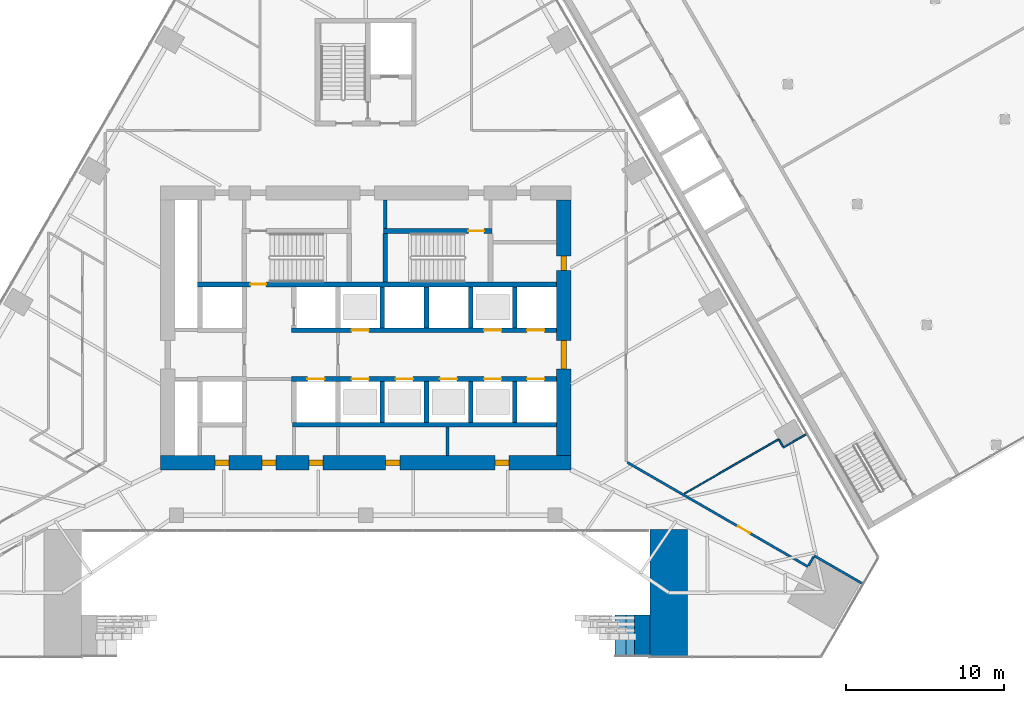
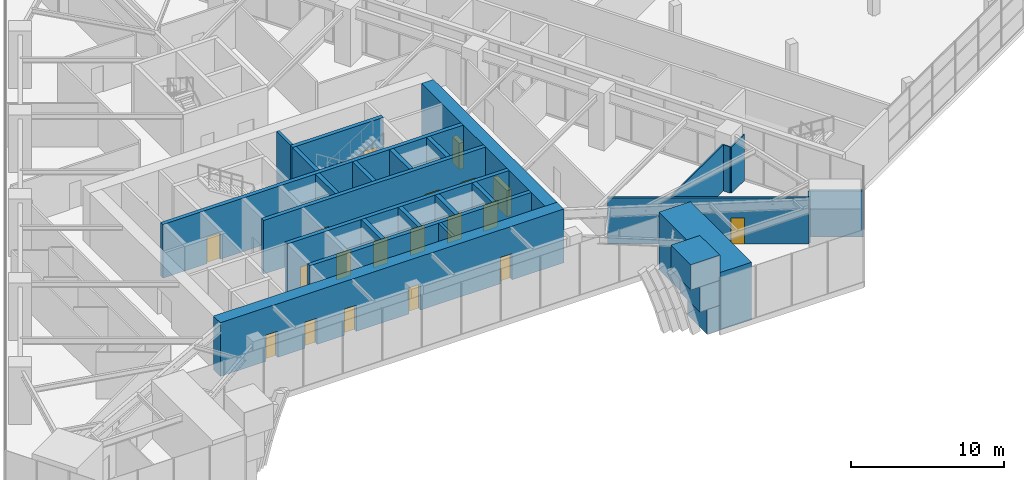
# One storey, part 18 of 29: 28 walls, 19 doors, 19 openings.
"""IFC4 building model written with IfcOpenShell, lengths in metres."""

from ifc_helpers import new_model, si_unit, direction, frame, frame_2d, origin, place, context, subcontext, project, spatial, rectangle, extrude, material, layer, layer_set, type_object, element, fill, save


model = new_model("IFC4")

# Units and contexts
model_context = context("Model", 3, precision=1e-05, world=origin(), true_north=direction((0.0, 1.0)))
body_context = subcontext(model_context, "Body", "Model", "MODEL_VIEW")
ifc_project = project(units=[si_unit("LENGTHUNIT", "METRE"), si_unit("AREAUNIT", "SQUARE_METRE"), si_unit("VOLUMEUNIT", "CUBIC_METRE"), si_unit("PLANEANGLEUNIT", "RADIAN"), si_unit("MASSUNIT", "GRAM", prefix="KILO")], contexts=[model_context])

# Site, building, storey
site_placement = place(None, origin())
site = spatial("IfcSite", under=ifc_project, at=site_placement, CompositionType="ELEMENT")
building_placement = place(site_placement, origin())
building = spatial("IfcBuilding", under=site, at=building_placement, Name="Firuza Gate Tower and Library", CompositionType="ELEMENT")
storey_placement = place(building_placement, frame((0.0, 0.0, 8.0)))
storey = spatial("IfcBuildingStorey", under=building, at=storey_placement, Name="L01", CompositionType="ELEMENT", Elevation=8.0)

# Walls
ifc_material_1 = material(Name="Plasterboard on steel studs", Category="steel")
ifc_layer_1 = layer(ifc_material_1, 0.199951171875)
ifc_layer_set_1 = layer_set([ifc_layer_1], Name="Core partition 200 EI 120")
wall_type_1 = type_object("IfcWallType", Name="Core partition 200 EI 120", PredefinedType="PARTITIONING", material=ifc_layer_set_1)
wall_1_placement = place(storey_placement, frame((80.175048828125, 66.89990234375, 0.0), z_axis=(0.0, 0.0, 1.0), x_axis=(0.0, 1.0, 0.0)))
element("IfcWall", 1, at=wall_1_placement, inside=storey, type_object=wall_type_1, Name="Core partition L01 15", PredefinedType="PARTITIONING", context=body_context, shape_type="SweptSolid", body=[
    extrude(rectangle(XDim=1.800048828125, YDim=0.199951171875, at=frame_2d((0.89990234375, 0.0))), origin(), (0.0, 0.0, 1.0), 4.300048828125),
])
ifc_material_2 = material(Name="Plasterboard on steel studs", Category="steel")
ifc_layer_2 = layer(ifc_material_2, 0.199951171875)
ifc_layer_set_2 = layer_set([ifc_layer_2], Name="Core partition 200 EI 60")
wall_type_2 = type_object("IfcWallType", Name="Core partition 200 EI 60", PredefinedType="PARTITIONING", material=ifc_layer_set_2)
wall_2_placement = place(storey_placement, frame((76.239990234375, 81.280029296875, 0.0), z_axis=(0.0, 0.0, 1.0), x_axis=(0.0, 1.0, 0.0)))
element("IfcWall", 2, at=wall_2_placement, inside=storey, type_object=wall_type_2, Name="Core partition L01 14", PredefinedType="PARTITIONING", context=body_context, shape_type="SweptSolid", body=[
    extrude(rectangle(XDim=1.820068359375, YDim=0.199951171875, at=frame_2d((0.91015625, 0.0))), origin(), (0.0, 0.0, 1.0), 4.300048828125),
])
ifc_material_3 = material(Name="Concrete C80/95", Category="concrete")
ifc_layer_3 = layer(ifc_material_3, 0.300048828125)
ifc_layer_set_3 = layer_set([ifc_layer_3], Name="Core wall 300 C80/95")
wall_type_3 = type_object("IfcWallType", Name="Core wall 300 C80/95", PredefinedType="SHEAR", material=ifc_layer_set_3)
wall_3_placement = place(storey_placement, frame((70.35009765625, 68.85009765625, 0.0), z_axis=(0.0, 0.0, 1.0), x_axis=(1.0, 0.0, 0.0)))
element("IfcWall", 3, at=wall_3_placement, inside=storey, type_object=wall_type_3, Name="Core wall L01 6", PredefinedType="SHEAR", context=body_context, shape_type="SweptSolid", body=[
    extrude(rectangle(XDim=16.75, YDim=0.300048828125, at=frame_2d((8.375, 0.0))), origin(), (0.0, 0.0, 1.0), 4.300048828125),
])

# Wall, openings, doors
wall_4_placement = place(storey_placement, frame((70.300048828125, 71.75, 0.0), z_axis=(0.0, 0.0, 1.0), x_axis=(1.0, 0.0, 0.0)))
wall_4 = element("IfcWall", 4, at=wall_4_placement, inside=storey, type_object=wall_type_3, Name="Core wall L01 8", PredefinedType="SHEAR", context=body_context, shape_type="SweptSolid", body=[
    extrude(rectangle(XDim=16.800048828125, YDim=0.300048828125, at=frame_2d((8.39990234375, 0.0))), origin(), (0.0, 0.0, 1.0), 4.300048828125),
])
opening_1_placement = place(wall_4_placement, frame((1.0, 0.0, 0.0)))
opening_1 = element("IfcOpeningElement", 5, at=opening_1_placement, cuts=wall_4, Name="Opening LD-FF1-L01", PredefinedType="OPENING", context=body_context, shape_type="SweptSolid", body=[
    extrude(rectangle(XDim=1.10009765625, YDim=2.10009765625, at=frame_2d((0.550048828125, 1.050048828125))), frame((0.0, 0.16015625, 0.0), z_axis=(0.0, -1.0, 0.0), x_axis=(1.0, 0.0, 0.0)), (0.0, 0.0, 1.0), 0.320068359375),
])
opening_2_placement = place(wall_4_placement, frame((3.800048828125, 0.0, 0.0)))
opening_2 = element("IfcOpeningElement", 6, at=opening_2_placement, cuts=wall_4, Name="Opening LD-LR1-L01", PredefinedType="OPENING", context=body_context, shape_type="SweptSolid", body=[
    extrude(rectangle(XDim=1.10009765625, YDim=2.10009765625, at=frame_2d((0.550048828125, 1.050048828125))), frame((0.0, 0.16015625, 0.0), z_axis=(0.0, -1.0, 0.0), x_axis=(1.0, 0.0, 0.0)), (0.0, 0.0, 1.0), 0.320068359375),
])
opening_3_placement = place(wall_4_placement, frame((6.60009765625, 0.0, 0.0)))
opening_3 = element("IfcOpeningElement", 7, at=opening_3_placement, cuts=wall_4, Name="Opening LD-LR2-L01", PredefinedType="OPENING", context=body_context, shape_type="SweptSolid", body=[
    extrude(rectangle(XDim=1.10009765625, YDim=2.10009765625, at=frame_2d((0.550048828125, 1.050048828125))), frame((0.0, 0.16015625, 0.0), z_axis=(0.0, -1.0, 0.0), x_axis=(1.0, 0.0, 0.0)), (0.0, 0.0, 1.0), 0.320068359375),
])
opening_4_placement = place(wall_4_placement, frame((9.39990234375, 0.0, 0.0)))
opening_4 = element("IfcOpeningElement", 8, at=opening_4_placement, cuts=wall_4, Name="Opening LD-LR3-L01", PredefinedType="OPENING", context=body_context, shape_type="SweptSolid", body=[
    extrude(rectangle(XDim=1.10009765625, YDim=2.10009765625, at=frame_2d((0.550048828125, 1.050048828125))), frame((0.0, 0.16015625, 0.0), z_axis=(0.0, -1.0, 0.0), x_axis=(1.0, 0.0, 0.0)), (0.0, 0.0, 1.0), 0.320068359375),
])
opening_5_placement = place(wall_4_placement, frame((12.199951171875, 0.0, 0.0)))
opening_5 = element("IfcOpeningElement", 9, at=opening_5_placement, cuts=wall_4, Name="Opening LD-LR5-L01", PredefinedType="OPENING", context=body_context, shape_type="SweptSolid", body=[
    extrude(rectangle(XDim=1.10009765625, YDim=2.10009765625, at=frame_2d((0.550048828125, 1.050048828125))), frame((0.0, 0.16015625, 0.0), z_axis=(0.0, -1.0, 0.0), x_axis=(1.0, 0.0, 0.0)), (0.0, 0.0, 1.0), 0.320068359375),
])
opening_6_placement = place(wall_4_placement, frame((14.925048828125, 0.0, 0.0)))
opening_6 = element("IfcOpeningElement", 10, at=opening_6_placement, cuts=wall_4, Name="Opening LD-LR7-L01", PredefinedType="OPENING", context=body_context, shape_type="SweptSolid", body=[
    extrude(rectangle(XDim=1.10009765625, YDim=2.10009765625, at=frame_2d((0.550048828125, 1.050048828125))), frame((0.0, 0.16015625, 0.0), z_axis=(0.0, -1.0, 0.0), x_axis=(1.0, 0.0, 0.0)), (0.0, 0.0, 1.0), 0.320068359375),
])
ifc_material_4 = material(Name="Stainless steel", Category="steel")
door_type_1 = type_object("IfcDoorType", Name="Lift landing door 1100x2100", OperationType="DOUBLE_DOOR_SLIDING", PredefinedType="DOOR", material=ifc_material_4)
door_1_placement = place(opening_1_placement, origin())
door_1 = element("IfcDoor", 11, at=door_1_placement, inside=storey, type_object=door_type_1, Name="Landing door FF1 L01", OperationType="DOUBLE_DOOR_SLIDING", OverallHeight=2.10009765625, OverallWidth=1.10009765625, PredefinedType="DOOR", context=body_context, shape_type="SweptSolid", body=[
    extrude(rectangle(XDim=1.10009765625, YDim=2.10009765625, at=frame_2d((0.550048828125, 1.050048828125))), frame((0.0, 0.02490234375, 0.0), z_axis=(0.0, -1.0, 0.0), x_axis=(1.0, 0.0, 0.0)), (0.0, 0.0, 1.0), 0.050048828125),
])
fill(opening_1, door_1)
door_2_placement = place(opening_2_placement, origin())
door_2 = element("IfcDoor", 12, at=door_2_placement, inside=storey, type_object=door_type_1, Name="Landing door LR1 L01", OperationType="DOUBLE_DOOR_SLIDING", OverallHeight=2.10009765625, OverallWidth=1.10009765625, PredefinedType="DOOR", context=body_context, shape_type="SweptSolid", body=[
    extrude(rectangle(XDim=1.10009765625, YDim=2.10009765625, at=frame_2d((0.550048828125, 1.050048828125))), frame((0.0, 0.02490234375, 0.0), z_axis=(0.0, -1.0, 0.0), x_axis=(1.0, 0.0, 0.0)), (0.0, 0.0, 1.0), 0.050048828125),
])
fill(opening_2, door_2)
door_3_placement = place(opening_3_placement, origin())
door_3 = element("IfcDoor", 13, at=door_3_placement, inside=storey, type_object=door_type_1, Name="Landing door LR2 L01", OperationType="DOUBLE_DOOR_SLIDING", OverallHeight=2.10009765625, OverallWidth=1.10009765625, PredefinedType="DOOR", context=body_context, shape_type="SweptSolid", body=[
    extrude(rectangle(XDim=1.10009765625, YDim=2.10009765625, at=frame_2d((0.550048828125, 1.050048828125))), frame((0.0, 0.02490234375, 0.0), z_axis=(0.0, -1.0, 0.0), x_axis=(1.0, 0.0, 0.0)), (0.0, 0.0, 1.0), 0.050048828125),
])
fill(opening_3, door_3)
door_4_placement = place(opening_4_placement, origin())
door_4 = element("IfcDoor", 14, at=door_4_placement, inside=storey, type_object=door_type_1, Name="Landing door LR3 L01", OperationType="DOUBLE_DOOR_SLIDING", OverallHeight=2.10009765625, OverallWidth=1.10009765625, PredefinedType="DOOR", context=body_context, shape_type="SweptSolid", body=[
    extrude(rectangle(XDim=1.10009765625, YDim=2.10009765625, at=frame_2d((0.550048828125, 1.050048828125))), frame((0.0, 0.02490234375, 0.0), z_axis=(0.0, -1.0, 0.0), x_axis=(1.0, 0.0, 0.0)), (0.0, 0.0, 1.0), 0.050048828125),
])
fill(opening_4, door_4)
door_5_placement = place(opening_5_placement, origin())
door_5 = element("IfcDoor", 15, at=door_5_placement, inside=storey, type_object=door_type_1, Name="Landing door LR5 L01", OperationType="DOUBLE_DOOR_SLIDING", OverallHeight=2.10009765625, OverallWidth=1.10009765625, PredefinedType="DOOR", context=body_context, shape_type="SweptSolid", body=[
    extrude(rectangle(XDim=1.10009765625, YDim=2.10009765625, at=frame_2d((0.550048828125, 1.050048828125))), frame((0.0, 0.02490234375, 0.0), z_axis=(0.0, -1.0, 0.0), x_axis=(1.0, 0.0, 0.0)), (0.0, 0.0, 1.0), 0.050048828125),
])
fill(opening_5, door_5)
door_6_placement = place(opening_6_placement, origin())
door_6 = element("IfcDoor", 16, at=door_6_placement, inside=storey, type_object=door_type_1, Name="Landing door LR7 L01", OperationType="DOUBLE_DOOR_SLIDING", OverallHeight=2.10009765625, OverallWidth=1.10009765625, PredefinedType="DOOR", context=body_context, shape_type="SweptSolid", body=[
    extrude(rectangle(XDim=1.10009765625, YDim=2.10009765625, at=frame_2d((0.550048828125, 1.050048828125))), frame((0.0, 0.02490234375, 0.0), z_axis=(0.0, -1.0, 0.0), x_axis=(1.0, 0.0, 0.0)), (0.0, 0.0, 1.0), 0.050048828125),
])
fill(opening_6, door_6)

wall_5_placement = place(storey_placement, frame((70.300048828125, 74.85009765625, 0.0), z_axis=(0.0, 0.0, 1.0), x_axis=(1.0, 0.0, 0.0)))
wall_5 = element("IfcWall", 17, at=wall_5_placement, inside=storey, type_object=wall_type_3, Name="Core wall L01 10", PredefinedType="SHEAR", context=body_context, shape_type="SweptSolid", body=[
    extrude(rectangle(XDim=16.800048828125, YDim=0.300048828125, at=frame_2d((8.39990234375, 0.0))), origin(), (0.0, 0.0, 1.0), 4.300048828125),
])
opening_7_placement = place(wall_5_placement, frame((3.800048828125, 0.0, 0.0)))
opening_7 = element("IfcOpeningElement", 18, at=opening_7_placement, cuts=wall_5, Name="Opening LD-LR4-L01", PredefinedType="OPENING", context=body_context, shape_type="SweptSolid", body=[
    extrude(rectangle(XDim=1.10009765625, YDim=2.10009765625, at=frame_2d((0.550048828125, 1.050048828125))), frame((0.0, 0.16015625, 0.0), z_axis=(0.0, -1.0, 0.0), x_axis=(1.0, 0.0, 0.0)), (0.0, 0.0, 1.0), 0.320068359375),
])
opening_8_placement = place(wall_5_placement, frame((12.199951171875, 0.0, 0.0)))
opening_8 = element("IfcOpeningElement", 19, at=opening_8_placement, cuts=wall_5, Name="Opening LD-LR6-L01", PredefinedType="OPENING", context=body_context, shape_type="SweptSolid", body=[
    extrude(rectangle(XDim=1.10009765625, YDim=2.10009765625, at=frame_2d((0.550048828125, 1.050048828125))), frame((0.0, 0.16015625, 0.0), z_axis=(0.0, -1.0, 0.0), x_axis=(1.0, 0.0, 0.0)), (0.0, 0.0, 1.0), 0.320068359375),
])
opening_9_placement = place(wall_5_placement, frame((14.925048828125, 0.0, 0.0)))
opening_9 = element("IfcOpeningElement", 20, at=opening_9_placement, cuts=wall_5, Name="Opening LD-LR8-L01", PredefinedType="OPENING", context=body_context, shape_type="SweptSolid", body=[
    extrude(rectangle(XDim=1.10009765625, YDim=2.10009765625, at=frame_2d((0.550048828125, 1.050048828125))), frame((0.0, 0.16015625, 0.0), z_axis=(0.0, -1.0, 0.0), x_axis=(1.0, 0.0, 0.0)), (0.0, 0.0, 1.0), 0.320068359375),
])
door_7_placement = place(opening_7_placement, origin())
door_7 = element("IfcDoor", 21, at=door_7_placement, inside=storey, type_object=door_type_1, Name="Landing door LR4 L01", OperationType="DOUBLE_DOOR_SLIDING", OverallHeight=2.10009765625, OverallWidth=1.10009765625, PredefinedType="DOOR", context=body_context, shape_type="SweptSolid", body=[
    extrude(rectangle(XDim=1.10009765625, YDim=2.10009765625, at=frame_2d((0.550048828125, 1.050048828125))), frame((0.0, 0.02490234375, 0.0), z_axis=(0.0, -1.0, 0.0), x_axis=(1.0, 0.0, 0.0)), (0.0, 0.0, 1.0), 0.050048828125),
])
fill(opening_7, door_7)
door_8_placement = place(opening_8_placement, origin())
door_8 = element("IfcDoor", 22, at=door_8_placement, inside=storey, type_object=door_type_1, Name="Landing door LR6 L01", OperationType="DOUBLE_DOOR_SLIDING", OverallHeight=2.10009765625, OverallWidth=1.10009765625, PredefinedType="DOOR", context=body_context, shape_type="SweptSolid", body=[
    extrude(rectangle(XDim=1.10009765625, YDim=2.10009765625, at=frame_2d((0.550048828125, 1.050048828125))), frame((0.0, 0.02490234375, 0.0), z_axis=(0.0, -1.0, 0.0), x_axis=(1.0, 0.0, 0.0)), (0.0, 0.0, 1.0), 0.050048828125),
])
fill(opening_8, door_8)
door_9_placement = place(opening_9_placement, origin())
door_9 = element("IfcDoor", 23, at=door_9_placement, inside=storey, type_object=door_type_1, Name="Landing door LR8 L01", OperationType="DOUBLE_DOOR_SLIDING", OverallHeight=2.10009765625, OverallWidth=1.10009765625, PredefinedType="DOOR", context=body_context, shape_type="SweptSolid", body=[
    extrude(rectangle(XDim=1.10009765625, YDim=2.10009765625, at=frame_2d((0.550048828125, 1.050048828125))), frame((0.0, 0.02490234375, 0.0), z_axis=(0.0, -1.0, 0.0), x_axis=(1.0, 0.0, 0.0)), (0.0, 0.0, 1.0), 0.050048828125),
])
fill(opening_9, door_9)

# Walls
for number, where, z_axis, x_axis, name in (
    (24, (76.050048828125, 69.0, 0.0), (0.0, 0.0, 1.0), (0.0, 1.0, 0.0), "Core wall L01 19"),
    (25, (76.050048828125, 75.0, 0.0), (0.0, 0.0, 1.0), (0.0, 1.0, 0.0), "Core wall L01 20"),
    (26, (78.85009765625, 69.0, 0.0), (0.0, 0.0, 1.0), (0.0, 1.0, 0.0), "Core wall L01 21"),
    (27, (78.85009765625, 75.0, 0.0), (0.0, 0.0, 1.0), (0.0, 1.0, 0.0), "Core wall L01 22"),
    (28, (81.64990234375, 69.0, 0.0), (0.0, 0.0, 1.0), (0.0, 1.0, 0.0), "Core wall L01 23"),
    (29, (81.64990234375, 75.0, 0.0), (0.0, 0.0, 1.0), (0.0, 1.0, 0.0), "Core wall L01 24"),
    (30, (84.449951171875, 69.0, 0.0), (0.0, 0.0, 1.0), (0.0, 1.0, 0.0), "Core wall L01 25"),
    (31, (84.449951171875, 75.0, 0.0), (0.0, 0.0, 1.0), (0.0, 1.0, 0.0), "Core wall L01 26"),
):
    element("IfcWall", number, at=place(storey_placement, frame(where, z_axis=z_axis, x_axis=x_axis)), inside=storey, type_object=wall_type_3, Name=name, PredefinedType="SHEAR", context=body_context, shape_type="SweptSolid", body=[
        extrude(rectangle(XDim=2.60009765625, YDim=0.300048828125, at=frame_2d((1.300048828125, 0.0))), origin(), (0.0, 0.0, 1.0), 4.300048828125),
    ])

# Wall, opening, door
wall_6_placement = place(storey_placement, frame((64.35009765625, 77.75, 0.0), z_axis=(0.0, 0.0, 1.0), x_axis=(1.0, 0.0, 0.0)))
wall_6 = element("IfcWall", 32, at=wall_6_placement, inside=storey, type_object=wall_type_3, Name="Core wall L01 27", PredefinedType="SHEAR", context=body_context, shape_type="SweptSolid", body=[
    extrude(rectangle(XDim=22.75, YDim=0.300048828125, at=frame_2d((11.375, 0.0))), origin(), (0.0, 0.0, 1.0), 4.300048828125),
])
opening_10_placement = place(wall_6_placement, frame((3.344970703125, 0.0, 0.0)))
opening_10 = element("IfcOpeningElement", 33, at=opening_10_placement, cuts=wall_6, Name="Opening L01-K12", PredefinedType="OPENING", context=body_context, shape_type="SweptSolid", body=[
    extrude(rectangle(XDim=1.0, YDim=2.10009765625, at=frame_2d((0.5, 1.050048828125))), frame((0.0, 0.16015625, 0.0), z_axis=(0.0, -1.0, 0.0), x_axis=(1.0, 0.0, 0.0)), (0.0, 0.0, 1.0), 0.320068359375),
])
ifc_material_5 = material(Name="Steel", Category="steel")
door_type_2 = type_object("IfcDoorType", Name="Fire door 1000x2100 FD90", OperationType="NOTDEFINED", PredefinedType="DOOR", material=ifc_material_5)
door_10_placement = place(opening_10_placement, origin())
door_10 = element("IfcDoor", 34, at=door_10_placement, inside=storey, type_object=door_type_2, Name="Door L01-K12", OperationType="SINGLE_SWING_LEFT", OverallHeight=2.10009765625, OverallWidth=1.0, PredefinedType="DOOR", context=body_context, shape_type="SweptSolid", body=[
    extrude(rectangle(XDim=1.0, YDim=2.10009765625, at=frame_2d((0.5, 1.050048828125))), frame((0.0, 0.02490234375, 0.0), z_axis=(0.0, -1.0, 0.0), x_axis=(1.0, 0.0, 0.0)), (0.0, 0.0, 1.0), 0.050048828125),
])
fill(opening_10, door_10)

wall_7_placement = place(storey_placement, frame((76.139892578125, 81.1298828125, 0.0), z_axis=(0.0, 0.0, 1.0), x_axis=(1.0, 0.0, 0.0)))
wall_7 = element("IfcWall", 35, at=wall_7_placement, inside=storey, type_object=wall_type_3, Name="Core wall L01 29", PredefinedType="SHEAR", context=body_context, shape_type="SweptSolid", body=[
    extrude(rectangle(XDim=6.860107421875, YDim=0.300048828125, at=frame_2d((3.43017578125, 0.0))), origin(), (0.0, 0.0, 1.0), 4.300048828125),
])
opening_11_placement = place(wall_7_placement, frame((5.364990234375, 0.0, 0.0)))
opening_11 = element("IfcOpeningElement", 36, at=opening_11_placement, cuts=wall_7, Name="Opening L01-K15", PredefinedType="OPENING", context=body_context, shape_type="SweptSolid", body=[
    extrude(rectangle(XDim=1.0, YDim=2.10009765625, at=frame_2d((0.5, 1.050048828125))), frame((0.0, 0.16015625, 0.0), z_axis=(0.0, -1.0, 0.0), x_axis=(1.0, 0.0, 0.0)), (0.0, 0.0, 1.0), 0.320068359375),
])
door_11_placement = place(opening_11_placement, origin())
door_11 = element("IfcDoor", 37, at=door_11_placement, inside=storey, type_object=door_type_2, Name="Door L01-K15", OperationType="SINGLE_SWING_RIGHT", OverallHeight=2.10009765625, OverallWidth=1.0, PredefinedType="DOOR", context=body_context, shape_type="SweptSolid", body=[
    extrude(rectangle(XDim=1.0, YDim=2.10009765625, at=frame_2d((0.5, 1.050048828125))), frame((0.0, 0.02490234375, 0.0), z_axis=(0.0, -1.0, 0.0), x_axis=(1.0, 0.0, 0.0)), (0.0, 0.0, 1.0), 0.050048828125),
])
fill(opening_11, door_11)

# Wall
wall_8_placement = place(storey_placement, frame((76.239990234375, 77.89990234375, 0.0), z_axis=(0.0, 0.0, 1.0), x_axis=(0.0, 1.0, 0.0)))
element("IfcWall", 38, at=wall_8_placement, inside=storey, type_object=wall_type_3, Name="Core wall L01 32", PredefinedType="SHEAR", context=body_context, shape_type="SweptSolid", body=[
    extrude(rectangle(XDim=3.080078125, YDim=0.300048828125, at=frame_2d((1.5400390625, 0.0))), origin(), (0.0, 0.0, 1.0), 4.300048828125),
])

# Wall, openings, doors
ifc_material_6 = material(Name="Concrete C80/95", Category="concrete")
ifc_layer_4 = layer(ifc_material_6, 0.89990234375)
ifc_layer_set_4 = layer_set([ifc_layer_4], Name="Core wall 900 C80/95")
wall_type_4 = type_object("IfcWallType", Name="Core wall 900 C80/95", PredefinedType="SHEAR", material=ifc_layer_set_4)
wall_9_placement = place(storey_placement, frame((62.0, 66.449951171875, 0.0), z_axis=(0.0, 0.0, 1.0), x_axis=(1.0, 0.0, 0.0)))
wall_9 = element("IfcWall", 39, at=wall_9_placement, inside=storey, type_object=wall_type_4, Name="Core wall L01 1", PredefinedType="SHEAR", context=body_context, shape_type="SweptSolid", body=[
    extrude(rectangle(XDim=26.0, YDim=0.89990234375, at=frame_2d((13.0, 0.0))), origin(), (0.0, 0.0, 1.0), 4.300048828125),
])
opening_12_placement = place(wall_9_placement, frame((3.449951171875, 0.0, 0.0)))
opening_12 = element("IfcOpeningElement", 40, at=opening_12_placement, cuts=wall_9, Name="Opening L01-K24", PredefinedType="OPENING", context=body_context, shape_type="SweptSolid", body=[
    extrude(rectangle(XDim=0.89990234375, YDim=2.10009765625, at=frame_2d((0.449951171875, 1.050048828125))), frame((0.0, 0.4599609375, 0.0), z_axis=(0.0, -1.0, 0.0), x_axis=(1.0, 0.0, 0.0)), (0.0, 0.0, 1.0), 0.919921875),
])
opening_13_placement = place(wall_9_placement, frame((6.425048828125, 0.0, 0.0)))
opening_13 = element("IfcOpeningElement", 41, at=opening_13_placement, cuts=wall_9, Name="Opening L01-K25", PredefinedType="OPENING", context=body_context, shape_type="SweptSolid", body=[
    extrude(rectangle(XDim=0.89990234375, YDim=2.10009765625, at=frame_2d((0.449951171875, 1.050048828125))), frame((0.0, 0.4599609375, 0.0), z_axis=(0.0, -1.0, 0.0), x_axis=(1.0, 0.0, 0.0)), (0.0, 0.0, 1.0), 0.919921875),
])
opening_14_placement = place(wall_9_placement, frame((9.39990234375, 0.0, 0.0)))
opening_14 = element("IfcOpeningElement", 42, at=opening_14_placement, cuts=wall_9, Name="Opening L01-K26", PredefinedType="OPENING", context=body_context, shape_type="SweptSolid", body=[
    extrude(rectangle(XDim=0.89990234375, YDim=2.10009765625, at=frame_2d((0.449951171875, 1.050048828125))), frame((0.0, 0.4599609375, 0.0), z_axis=(0.0, -1.0, 0.0), x_axis=(1.0, 0.0, 0.0)), (0.0, 0.0, 1.0), 0.919921875),
])
opening_15_placement = place(wall_9_placement, frame((14.262451171875, 0.0, 0.0)))
opening_15 = element("IfcOpeningElement", 43, at=opening_15_placement, cuts=wall_9, Name="Opening L01-K27", PredefinedType="OPENING", context=body_context, shape_type="SweptSolid", body=[
    extrude(rectangle(XDim=0.89990234375, YDim=2.10009765625, at=frame_2d((0.449951171875, 1.050048828125))), frame((0.0, 0.4599609375, 0.0), z_axis=(0.0, -1.0, 0.0), x_axis=(1.0, 0.0, 0.0)), (0.0, 0.0, 1.0), 0.919921875),
])
opening_16_placement = place(wall_9_placement, frame((21.1875, 0.0, 0.0)))
opening_16 = element("IfcOpeningElement", 44, at=opening_16_placement, cuts=wall_9, Name="Opening L01-K28", PredefinedType="OPENING", context=body_context, shape_type="SweptSolid", body=[
    extrude(rectangle(XDim=0.89990234375, YDim=2.10009765625, at=frame_2d((0.449951171875, 1.050048828125))), frame((0.0, 0.4599609375, 0.0), z_axis=(0.0, -1.0, 0.0), x_axis=(1.0, 0.0, 0.0)), (0.0, 0.0, 1.0), 0.919921875),
])
ifc_material_7 = material(Name="Steel", Category="steel")
door_type_3 = type_object("IfcDoorType", Name="Fire door 900x2100 FD30S", OperationType="NOTDEFINED", PredefinedType="DOOR", material=ifc_material_7)
door_12_placement = place(opening_12_placement, origin())
door_12 = element("IfcDoor", 45, at=door_12_placement, inside=storey, type_object=door_type_3, Name="Door L01-K24", OperationType="SINGLE_SWING_LEFT", OverallHeight=2.10009765625, OverallWidth=0.89990234375, PredefinedType="DOOR", context=body_context, shape_type="SweptSolid", body=[
    extrude(rectangle(XDim=0.89990234375, YDim=2.10009765625, at=frame_2d((0.449951171875, 1.050048828125))), frame((0.0, 0.169921875, 0.0), z_axis=(0.0, -1.0, 0.0), x_axis=(1.0, 0.0, 0.0)), (0.0, 0.0, 1.0), 0.33984375),
])
fill(opening_12, door_12)
door_13_placement = place(opening_13_placement, origin())
door_13 = element("IfcDoor", 46, at=door_13_placement, inside=storey, type_object=door_type_3, Name="Door L01-K25", OperationType="SINGLE_SWING_RIGHT", OverallHeight=2.10009765625, OverallWidth=0.89990234375, PredefinedType="DOOR", context=body_context, shape_type="SweptSolid", body=[
    extrude(rectangle(XDim=0.89990234375, YDim=2.10009765625, at=frame_2d((0.449951171875, 1.050048828125))), frame((0.0, 0.169921875, 0.0), z_axis=(0.0, -1.0, 0.0), x_axis=(1.0, 0.0, 0.0)), (0.0, 0.0, 1.0), 0.33984375),
])
fill(opening_13, door_13)
door_14_placement = place(opening_14_placement, origin())
door_14 = element("IfcDoor", 47, at=door_14_placement, inside=storey, type_object=door_type_3, Name="Door L01-K26", OperationType="SINGLE_SWING_LEFT", OverallHeight=2.10009765625, OverallWidth=0.89990234375, PredefinedType="DOOR", context=body_context, shape_type="SweptSolid", body=[
    extrude(rectangle(XDim=0.89990234375, YDim=2.10009765625, at=frame_2d((0.449951171875, 1.050048828125))), frame((0.0, 0.169921875, 0.0), z_axis=(0.0, -1.0, 0.0), x_axis=(1.0, 0.0, 0.0)), (0.0, 0.0, 1.0), 0.33984375),
])
fill(opening_14, door_14)
door_15_placement = place(opening_15_placement, origin())
door_15 = element("IfcDoor", 48, at=door_15_placement, inside=storey, type_object=door_type_3, Name="Door L01-K27", OperationType="SINGLE_SWING_RIGHT", OverallHeight=2.10009765625, OverallWidth=0.89990234375, PredefinedType="DOOR", context=body_context, shape_type="SweptSolid", body=[
    extrude(rectangle(XDim=0.89990234375, YDim=2.10009765625, at=frame_2d((0.449951171875, 1.050048828125))), frame((0.0, 0.169921875, 0.0), z_axis=(0.0, -1.0, 0.0), x_axis=(1.0, 0.0, 0.0)), (0.0, 0.0, 1.0), 0.33984375),
])
fill(opening_15, door_15)
door_16_placement = place(opening_16_placement, origin())
door_16 = element("IfcDoor", 49, at=door_16_placement, inside=storey, type_object=door_type_3, Name="Door L01-K28", OperationType="SINGLE_SWING_LEFT", OverallHeight=2.10009765625, OverallWidth=0.89990234375, PredefinedType="DOOR", context=body_context, shape_type="SweptSolid", body=[
    extrude(rectangle(XDim=0.89990234375, YDim=2.10009765625, at=frame_2d((0.449951171875, 1.050048828125))), frame((0.0, 0.169921875, 0.0), z_axis=(0.0, -1.0, 0.0), x_axis=(1.0, 0.0, 0.0)), (0.0, 0.0, 1.0), 0.33984375),
])
fill(opening_16, door_16)

wall_10_placement = place(storey_placement, frame((87.550048828125, 66.89990234375, 0.0), z_axis=(0.0, 0.0, 1.0), x_axis=(0.0, 1.0, 0.0)))
wall_10 = element("IfcWall", 50, at=wall_10_placement, inside=storey, type_object=wall_type_4, Name="Core wall L01 4", PredefinedType="SHEAR", context=body_context, shape_type="SweptSolid", body=[
    extrude(rectangle(XDim=16.2001953125, YDim=0.89990234375, at=frame_2d((8.10009765625, 0.0))), origin(), (0.0, 0.0, 1.0), 4.300048828125),
])
opening_17_placement = place(wall_10_placement, frame((5.5, 0.0, 0.0)))
opening_17 = element("IfcOpeningElement", 51, at=opening_17_placement, cuts=wall_10, Name="Opening L01-K23", PredefinedType="OPENING", context=body_context, shape_type="SweptSolid", body=[
    extrude(rectangle(XDim=1.800048828125, YDim=2.10009765625, at=frame_2d((0.89990234375, 1.050048828125))), frame((0.0, 0.4599609375, 0.0), z_axis=(0.0, -1.0, 0.0), x_axis=(1.0, 0.0, 0.0)), (0.0, 0.0, 1.0), 0.919921875),
])
opening_18_placement = place(wall_10_placement, frame((11.737548828125, 0.0, 0.0)))
opening_18 = element("IfcOpeningElement", 52, at=opening_18_placement, cuts=wall_10, Name="Opening L01-K31", PredefinedType="OPENING", context=body_context, shape_type="SweptSolid", body=[
    extrude(rectangle(XDim=0.89990234375, YDim=2.10009765625, at=frame_2d((0.449951171875, 1.050048828125))), frame((0.0, 0.4599609375, 0.0), z_axis=(0.0, -1.0, 0.0), x_axis=(1.0, 0.0, 0.0)), (0.0, 0.0, 1.0), 0.919921875),
])
ifc_material_8 = material(Name="Steel", Category="steel")
door_type_4 = type_object("IfcDoorType", Name="Fire door 1800x2100 FD30S", OperationType="NOTDEFINED", PredefinedType="DOOR", material=ifc_material_8)
door_17_placement = place(opening_17_placement, origin())
door_17 = element("IfcDoor", 53, at=door_17_placement, inside=storey, type_object=door_type_4, Name="Door L01-K23", OperationType="SINGLE_SWING_RIGHT", OverallHeight=2.10009765625, OverallWidth=1.800048828125, PredefinedType="DOOR", context=body_context, shape_type="SweptSolid", body=[
    extrude(rectangle(XDim=1.800048828125, YDim=2.10009765625, at=frame_2d((0.89990234375, 1.050048828125))), frame((0.0, 0.169921875, 0.0), z_axis=(0.0, -1.0, 0.0), x_axis=(1.0, 0.0, 0.0)), (0.0, 0.0, 1.0), 0.33984375),
])
fill(opening_17, door_17)
door_18_placement = place(opening_18_placement, origin())
door_18 = element("IfcDoor", 54, at=door_18_placement, inside=storey, type_object=door_type_3, Name="Door L01-K31", OperationType="SINGLE_SWING_RIGHT", OverallHeight=2.10009765625, OverallWidth=0.89990234375, PredefinedType="DOOR", context=body_context, shape_type="SweptSolid", body=[
    extrude(rectangle(XDim=0.89990234375, YDim=2.10009765625, at=frame_2d((0.449951171875, 1.050048828125))), frame((0.0, 0.169921875, 0.0), z_axis=(0.0, -1.0, 0.0), x_axis=(1.0, 0.0, 0.0)), (0.0, 0.0, 1.0), 0.33984375),
])
fill(opening_18, door_18)

# Walls
ifc_material_9 = material(Name="Gypsum board partition")
ifc_layer_5 = layer(ifc_material_9, 0.14990234375)
ifc_layer_set_5 = layer_set([ifc_layer_5], Name="Corridor wall 150 double board on steel studs")
wall_type_5 = type_object("IfcWallType", Name="Corridor wall 150 double board on steel studs", PredefinedType="PARTITIONING", material=ifc_layer_set_5)
wall_11_placement = place(storey_placement, frame((103.0615234375, 59.93603515625, 0.0), z_axis=(0.0, 0.0, 1.0), x_axis=(0.500118698802, 0.865956862152, 0.0)))
element("IfcWall", 55, at=wall_11_placement, inside=storey, type_object=wall_type_5, Name="f:L01:w015", PredefinedType="PARTITIONING", context=body_context, shape_type="SweptSolid", body=[
    extrude(rectangle(XDim=0.639892578125, YDim=0.14990234375, at=frame_2d((0.31982421875, 0.0))), origin(), (0.0, 0.0, 1.0), 3.699951171875),
])
wall_12_placement = place(storey_placement, frame((106.501953125, 58.775390625, 0.0), z_axis=(0.0, 0.0, 1.0), x_axis=(-0.866018846882, 0.500011356716, 0.0)))
element("IfcWall", 56, at=wall_12_placement, inside=storey, type_object=wall_type_5, Name="f:L01:w034", PredefinedType="PARTITIONING", context=body_context, shape_type="SweptSolid", body=[
    extrude(rectangle(XDim=3.56005859375, YDim=0.14990234375, at=frame_2d((1.780029296875, 0.0))), origin(), (0.0, 0.0, 1.0), 3.699951171875),
])

# Wall, opening, door
wall_13_placement = place(storey_placement, frame((91.574951171875, 66.4697265625, 0.0), z_axis=(0.0, 0.0, 1.0), x_axis=(0.866027754727, -0.499995928025, 0.0)))
wall_13 = element("IfcWall", 57, at=wall_13_placement, inside=storey, type_object=wall_type_5, Name="f:L01:w035", PredefinedType="PARTITIONING", context=body_context, shape_type="SweptSolid", body=[
    extrude(rectangle(XDim=13.21435546875, YDim=0.14990234375, at=frame_2d((6.607177734375, 0.0))), origin(), (0.0, 0.0, 1.0), 3.699951171875),
])
opening_19_placement = place(wall_13_placement, frame((8.0908203125, 0.0, 0.0)))
opening_19 = element("IfcOpeningElement", 58, at=opening_19_placement, cuts=wall_13, Name="Opening L01-15", PredefinedType="OPENING", context=body_context, shape_type="SweptSolid", body=[
    extrude(rectangle(XDim=0.89990234375, YDim=2.10009765625, at=frame_2d((0.449951171875, 1.050048828125))), frame((0.0, 0.0849609375, 0.0), z_axis=(0.0, -1.0, 0.0), x_axis=(1.0, 0.0, 0.0)), (0.0, 0.0, 1.0), 0.169921875),
])
ifc_material_10 = material(Name="Steel door and timber leaf", Category="steel")
door_type_5 = type_object("IfcDoorType", Name="Fire door 900 x 2100 steel frame, timber leaf", OperationType="NOTDEFINED", PredefinedType="DOOR", material=ifc_material_10)
door_19_placement = place(opening_19_placement, origin())
door_19 = element("IfcDoor", 59, at=door_19_placement, inside=storey, type_object=door_type_5, Name="f:L01:d015", OperationType="SINGLE_SWING_RIGHT", OverallHeight=2.10009765625, OverallWidth=0.89990234375, PredefinedType="DOOR", context=body_context, shape_type="SweptSolid", body=[
    extrude(rectangle(XDim=0.89990234375, YDim=2.10009765625, at=frame_2d((0.449951171875, 1.050048828125))), frame((0.0, 0.02490234375, 0.0), z_axis=(0.0, -1.0, 0.0), x_axis=(1.0, 0.0, 0.0)), (0.0, 0.0, 1.0), 0.050048828125),
])
fill(opening_19, door_19)

# Walls
ifc_material_11 = material(Name="Concrete C80/95", Category="concrete")
ifc_layer_6 = layer(ifc_material_11, 2.39990234375)
ifc_layer_set_6 = layer_set([ifc_layer_6], Name="Iwan wall 2400 C80/95")
wall_type_6 = type_object("IfcWallType", Name="Iwan wall 2400 C80/95", PredefinedType="SHEAR", material=ifc_layer_set_6)
wall_14_placement = place(storey_placement, frame((94.199951171875, 54.21533203125, 0.0), z_axis=(0.0, 0.0, 1.0), x_axis=(0.0, 1.0, 0.0)))
element("IfcWall", 60, at=wall_14_placement, inside=storey, type_object=wall_type_6, Name="Iwan wall E L01", PredefinedType="SHEAR", context=body_context, shape_type="SweptSolid", body=[
    extrude(rectangle(XDim=8.0, YDim=2.39990234375, at=frame_2d((4.0, 0.0))), origin(), (0.0, 0.0, 1.0), 4.60009765625),
])
ifc_material_12 = material(Name="Gypsum board partition")
ifc_layer_7 = layer(ifc_material_12, 0.10009765625)
ifc_layer_set_7 = layer_set([ifc_layer_7], Name="Partition 100 gypsum board on steel studs")
wall_type_7 = type_object("IfcWallType", Name="Partition 100 gypsum board on steel studs", PredefinedType="PARTITIONING", material=ifc_layer_set_7)
wall_15_placement = place(storey_placement, frame((101.471435546875, 67.42041015625, 0.0), z_axis=(0.0, 0.0, 1.0), x_axis=(0.866028621479, 0.499994426748, 0.0)))
element("IfcWall", 61, at=wall_15_placement, inside=storey, type_object=wall_type_7, Name="f:L01:w005", PredefinedType="PARTITIONING", context=body_context, shape_type="SweptSolid", body=[
    extrude(rectangle(XDim=1.70947265625, YDim=0.10009765625, at=frame_2d((0.854736328125, 0.0))), origin(), (0.0, 0.0, 1.0), 3.699951171875),
])
wall_16_placement = place(storey_placement, frame((95.200927734375, 64.492919921875, 0.0), z_axis=(0.0, 0.0, 1.0), x_axis=(0.866031059472, 0.499990203933, 0.0)))
element("IfcWall", 62, at=wall_16_placement, inside=storey, type_object=wall_type_7, Name="f:L01:w006", PredefinedType="PARTITIONING", context=body_context, shape_type="SweptSolid", body=[
    extrude(rectangle(XDim=6.893310546875, YDim=0.10009765625, at=frame_2d((3.44677734375, 0.0))), origin(), (0.0, 0.0, 1.0), 3.699951171875),
])
wall_17_placement = place(storey_placement, frame((101.4462890625, 67.4638671875, 0.0), z_axis=(0.0, 0.0, 1.0), x_axis=(-0.500033033937, 0.866006330792, 0.0)))
element("IfcWall", 63, at=wall_17_placement, inside=storey, type_object=wall_type_7, Name="f:L01:w030", PredefinedType="PARTITIONING", context=body_context, shape_type="SweptSolid", body=[
    extrude(rectangle(XDim=0.4990234375, YDim=0.10009765625, at=frame_2d((0.24951171875, 0.0))), origin(), (0.0, 0.0, 1.0), 3.699951171875),
])
ifc_material_13 = material(Name="Concrete C60/75", Category="concrete")
ifc_layer_8 = layer(ifc_material_13, 2.60009765625)
ifc_layer_set_8 = layer_set([ifc_layer_8], Name="Portal wall 2600 C60/75")
wall_type_8 = type_object("IfcWallType", Name="Portal wall 2600 C60/75", PredefinedType="SOLIDWALL", material=ifc_layer_set_8)
wall_18_placement = place(storey_placement, frame((92.037109375, 55.515380859375, 0.0), z_axis=(0.0, 0.0, 1.0), x_axis=(1.0, 0.0, 0.0)))
element("IfcWall", 64, at=wall_18_placement, inside=storey, type_object=wall_type_8, Name="Portal wall course 5", PredefinedType="SOLIDWALL", context=body_context, shape_type="SweptSolid", body=[
    extrude(rectangle(XDim=0.962890625, YDim=2.60009765625, at=frame_2d((0.4814453125, 0.0))), origin(), (0.0, 0.0, 1.0), 2.0),
])
wall_19_placement = place(storey_placement, frame((91.4853515625, 55.515380859375, 2.0), z_axis=(0.0, 0.0, 1.0), x_axis=(1.0, 0.0, 0.0)))
element("IfcWall", 65, at=wall_19_placement, inside=storey, type_object=wall_type_8, Name="Portal wall course 6", PredefinedType="SOLIDWALL", context=body_context, shape_type="SweptSolid", body=[
    extrude(rectangle(XDim=1.5146484375, YDim=2.60009765625, at=frame_2d((0.75732421875, 0.0))), origin(), (0.0, 0.0, 1.0), 2.0),
])
wall_20_placement = place(storey_placement, frame((90.798583984375, 55.515380859375, 4.0), z_axis=(0.0, 0.0, 1.0), x_axis=(1.0, 0.0, 0.0)))
element("IfcWall", 66, at=wall_20_placement, inside=storey, type_object=wall_type_8, Name="Portal wall course 7", PredefinedType="SOLIDWALL", context=body_context, shape_type="SweptSolid", body=[
    extrude(rectangle(XDim=2.201416015625, YDim=2.60009765625, at=frame_2d((1.1005859375, 0.0))), origin(), (0.0, 0.0, 1.0), 2.0),
])

save(model, "model.ifc")
